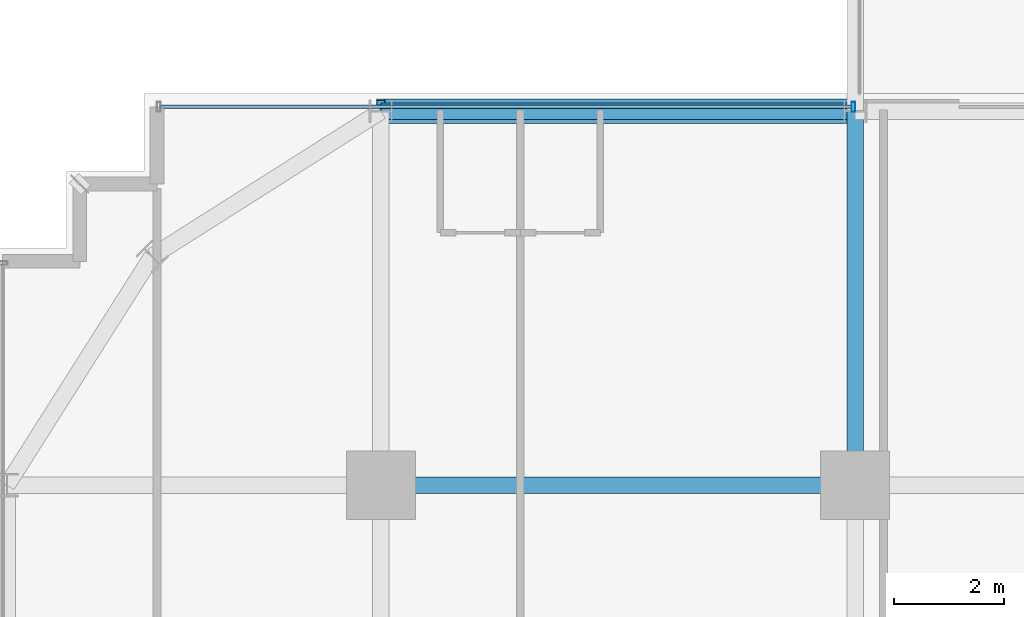
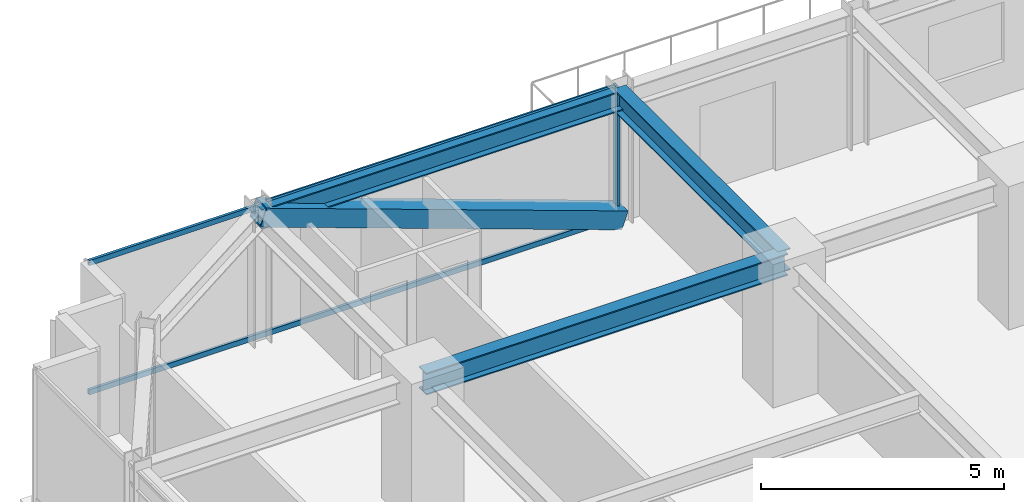
# One storey, part 19 of 41: 4 members, 3 beams, 1 element without a shape of its own.
"""IFC4 building model written with IfcOpenShell, lengths in metres."""

from ifc_helpers import new_model, si_unit, direction, frame, origin, origin_2d, place, context, subcontext, project, spatial, hollow_rectangle, i_section, extrude, source, transform, mapped, material, material_profile, profile_set, type_object, element, aggregate, save


model = new_model("IFC4")

# Units and contexts
model_context = context("Model", 3, precision=1e-05, world=origin(), true_north=direction((0.0, 1.0)))
body_context = subcontext(model_context, "Body", "Model", "MODEL_VIEW")
ifc_project = project(units=[si_unit("LENGTHUNIT", "METRE"), si_unit("AREAUNIT", "SQUARE_METRE"), si_unit("VOLUMEUNIT", "CUBIC_METRE"), si_unit("PLANEANGLEUNIT", "RADIAN"), si_unit("MASSUNIT", "GRAM", prefix="KILO")], contexts=[model_context])

# Site, building, storey
site_placement = place(None, origin())
site = spatial("IfcSite", under=ifc_project, at=site_placement, CompositionType="ELEMENT")
building_placement = place(site_placement, origin())
building = spatial("IfcBuilding", under=site, at=building_placement, Name="Nahalor Promenade Grand Hotel", CompositionType="ELEMENT")
storey_placement = place(building_placement, frame((0.0, 0.0, 113.85009765625)))
storey = spatial("IfcBuildingStorey", under=building, at=storey_placement, Name="L28", CompositionType="ELEMENT", Elevation=113.85009765625)

# Beams
ifc_material_1 = material(Name="Steel S355JR", Category="steel")
ifc_material_profile_1 = material_profile(ifc_material_1, i_section(OverallWidth=0.3, OverallDepth=0.5, WebThickness=0.0145, FlangeThickness=0.028, at=origin_2d()), Name="HEB 500")
ifc_profile_set_1 = profile_set([ifc_material_profile_1], Name="Steel S355JR")
beam_type_1 = type_object("IfcBeamType", Name="Beam-Spandrel-HEB500", PredefinedType="SPANDREL", material=ifc_profile_set_1)
shared_shape_1 = source(origin(), body_context, "Body", "SweptSolid", [
    extrude(i_section(OverallWidth=0.3, OverallDepth=0.5, WebThickness=0.0145, FlangeThickness=0.028, at=origin_2d()), origin(), (0.0, 0.0, 1.0), 8.60009765625),
])
beam_1_placement = place(storey_placement, frame((-17.0, 23.780029296875, 3.1298828125), z_axis=(1.0, 0.0, 0.0), x_axis=(0.0, 1.0, 0.0)))
element("IfcBeam", 1, at=beam_1_placement, inside=storey, type_object=beam_type_1, Name="BM-L28-SP-N-0", PredefinedType="SPANDREL", context=body_context, shape_type="MappedRepresentation", body=[
    mapped(shared_shape_1, transform((0.0, 0.0, 0.0), scale=1.0)),
])
ifc_material_profile_2 = material_profile(ifc_material_1, i_section(OverallWidth=0.3, OverallDepth=0.55, WebThickness=0.015, FlangeThickness=0.029, at=origin_2d()), Name="HEB 550")
ifc_profile_set_2 = profile_set([ifc_material_profile_2], Name="Steel S355JR")
beam_type_2 = type_object("IfcBeamType", Name="Beam-Girder-HEB550", PredefinedType="BEAM", material=ifc_profile_set_2)
shared_shape_2 = source(origin(), body_context, "Body", "SweptSolid", [
    extrude(i_section(OverallWidth=0.3, OverallDepth=0.55, WebThickness=0.015, FlangeThickness=0.029, at=origin_2d()), origin(), (0.0, 0.0, 1.0), 6.780029296875),
])
beam_2_placement = place(storey_placement, frame((-8.39990234375, 17.0, 3.10498046875), z_axis=(0.0, 1.0, 0.0), x_axis=(-1.0, 0.0, 0.0)))
element("IfcBeam", 2, at=beam_2_placement, inside=storey, type_object=beam_type_2, Name="BM-L28-GY-1-4", PredefinedType="BEAM", context=body_context, shape_type="MappedRepresentation", body=[
    mapped(shared_shape_2, transform((0.0, 0.0, 0.0), scale=1.0)),
])
shared_shape_3 = source(origin(), body_context, "Body", "SweptSolid", [
    extrude(i_section(OverallWidth=0.3, OverallDepth=0.55, WebThickness=0.015, FlangeThickness=0.029, at=origin_2d()), origin(), (0.0, 0.0, 1.0), 8.60009765625),
])
beam_3_placement = place(storey_placement, frame((-17.0, 17.0, 3.10498046875), z_axis=(1.0, 0.0, 0.0), x_axis=(0.0, 1.0, 0.0)))
element("IfcBeam", 3, at=beam_3_placement, inside=storey, type_object=beam_type_2, Name="BM-L28-GX-3-1", PredefinedType="BEAM", context=body_context, shape_type="MappedRepresentation", body=[
    mapped(shared_shape_3, transform((0.0, 0.0, 0.0), scale=1.0)),
])

# Member
ifc_material_2 = material(Name="Steel S355J2", Category="steel")
ifc_material_profile_3 = material_profile(ifc_material_2, hollow_rectangle(XDim=0.45, YDim=0.45, WallThickness=0.025, at=origin_2d()), Name="SHS 450x450x25")
ifc_profile_set_3 = profile_set([ifc_material_profile_3], Name="Steel S355J2")
member_type_1 = type_object("IfcMemberType", Name="Mem-ExoBrace-SHS450", PredefinedType="BRACE", material=ifc_profile_set_3)
shared_shape_4 = source(origin(), body_context, "Body", "SweptSolid", [
    extrude(hollow_rectangle(XDim=0.45, YDim=0.45, WallThickness=0.025, at=origin_2d()), origin(), (0.0, 0.0, 1.0), 9.135009765625),
])
member_1_placement = place(storey_placement, frame((-8.39990234375, 23.780029296875, 0.14990234375), z_axis=(-0.941442840152, 0.0, 0.337172624521), x_axis=(0.0, -1.0, 0.0)))
element("IfcMember", 4, at=member_1_placement, inside=storey, type_object=member_type_1, Name="EXO-L28-N-0", PredefinedType="BRACE", context=body_context, shape_type="MappedRepresentation", body=[
    mapped(shared_shape_4, transform((0.0, 0.0, 0.0), scale=1.0)),
])

# Curtain wall, members
ifc_material_3 = material(Name="Anodised Bronze Aluminium EN AW-6063 T6", Category="aluminium")
curtain_wall_type = type_object("IfcCurtainWallType", Name="CW2 Typical Hotel Flush Bronze Unitised Curtain Wall", PredefinedType="USERDEFINED", material=ifc_material_3)
curtain_wall_placement = place(storey_placement, origin())
curtain_wall = element("IfcCurtainWall", 5, at=curtain_wall_placement, inside=storey, type_object=curtain_wall_type, Name="L28 Curtain Wall CW-L28-N-1", ObjectType="UNITISED_CURTAIN_WALL", PredefinedType="USERDEFINED")
ifc_material_profile_4 = material_profile(ifc_material_3, hollow_rectangle(XDim=0.065, YDim=0.18, WallThickness=0.004, at=origin_2d()), Name="CWM 65x180x4")
ifc_profile_set_4 = profile_set([ifc_material_profile_4], Name="Anodised Bronze Aluminium EN AW-6063 T6")
member_type_2 = type_object("IfcMemberType", Name="CWM2 Typical Bronze Mullion 65x180", PredefinedType="MULLION", material=ifc_profile_set_4)
shared_shape_5 = source(origin(), body_context, "Body", "SweptSolid", [
    extrude(hollow_rectangle(XDim=0.065, YDim=0.18, WallThickness=0.004, at=origin_2d()), origin(), (0.0, 0.0, 1.0), 3.3798828125),
])
member_2_placement = place(storey_placement, frame((-8.4326171875, 23.860107421875, 0.0), z_axis=(0.0, 0.0, 1.0), x_axis=(1.0, 0.0, 0.0)))
member_2 = element("IfcMember", 6, at=member_2_placement, type_object=member_type_2, Name="CW-L28-N-1 Mullion 1", PredefinedType="MULLION", context=body_context, shape_type="MappedRepresentation", body=[
    mapped(shared_shape_5, transform((0.0, 0.0, 0.0), scale=1.0)),
])
ifc_material_profile_5 = material_profile(ifc_material_3, hollow_rectangle(XDim=0.065, YDim=0.13, WallThickness=0.004, at=origin_2d()), Name="CWT 65x130x4")
ifc_profile_set_5 = profile_set([ifc_material_profile_5], Name="Anodised Bronze Aluminium EN AW-6063 T6")
member_type_3 = type_object("IfcMemberType", Name="CWT2 Typical Bronze Transom 65x130", PredefinedType="USERDEFINED", material=ifc_profile_set_5)
shared_shape_6 = source(origin(), body_context, "Body", "SweptSolid", [
    extrude(hollow_rectangle(XDim=0.065, YDim=0.13, WallThickness=0.004, at=origin_2d()), origin(), (0.0, 0.0, 1.0), 12.530029296875),
])
member_3_placement = place(storey_placement, frame((-20.9951171875, 23.860107421875, 0.06494140625), z_axis=(1.0, 0.0, 0.0), x_axis=(0.0, 1.0, 0.0)))
member_3 = element("IfcMember", 7, at=member_3_placement, type_object=member_type_3, Name="CW-L28-N-1 Transom 0-0", ObjectType="TRANSOM", PredefinedType="USERDEFINED", context=body_context, shape_type="MappedRepresentation", body=[
    mapped(shared_shape_6, transform((0.0, 0.0, 0.0), scale=1.0)),
])
member_4_placement = place(storey_placement, frame((-20.9951171875, 23.860107421875, 3.31494140625), z_axis=(1.0, 0.0, 0.0), x_axis=(0.0, 1.0, 0.0)))
member_4 = element("IfcMember", 8, at=member_4_placement, type_object=member_type_3, Name="CW-L28-N-1 Transom 0-1", ObjectType="TRANSOM", PredefinedType="USERDEFINED", context=body_context, shape_type="MappedRepresentation", body=[
    mapped(shared_shape_6, transform((0.0, 0.0, 0.0), scale=1.0)),
])
aggregate(curtain_wall, [member_2, member_3, member_4])

save(model, "model.ifc")
